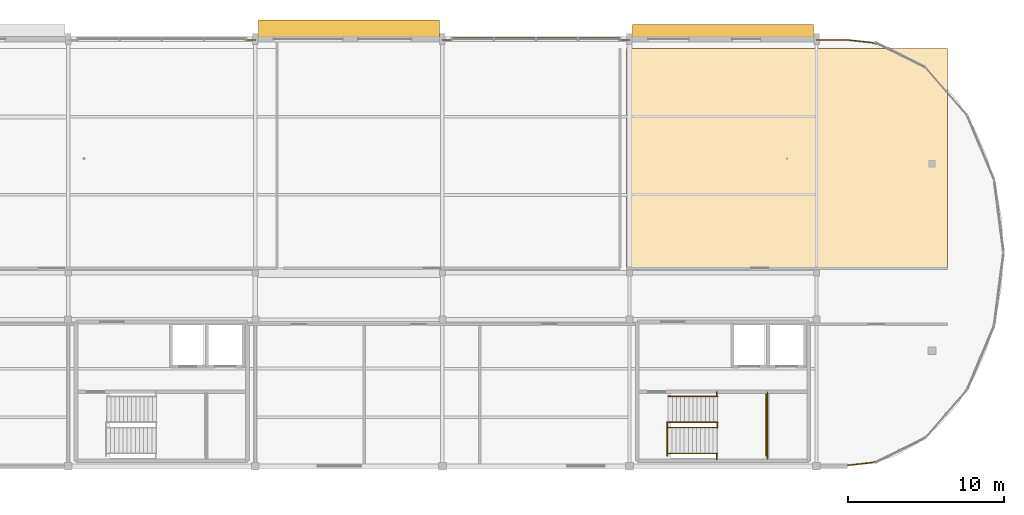
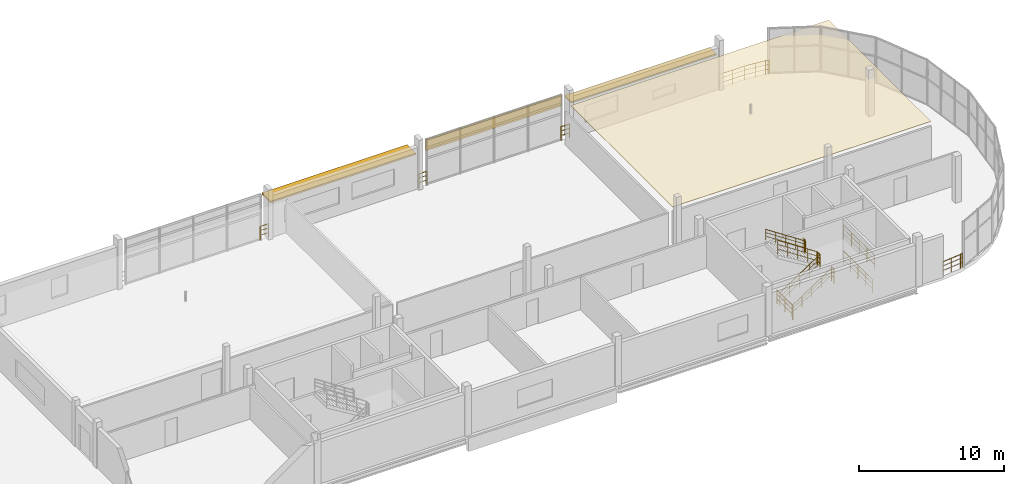
# One storey, part 13 of 13: 18 railings, 2 coverings, 2 shading devices.
"""IFC4 building model written with IfcOpenShell, lengths in metres."""

import ifcopenshell
import ifcopenshell.guid

model = None  # the IFC model being written
_history = None  # IfcOwnerHistory: only IFC2X3 demands one
_inside = {}  # id of a spatial element -> (the spatial element, [elements in it])
_under = {}  # id of a project, library or spatial element -> (it, [spatial elements below it])
_declared = {}  # id of a project -> (the project, [libraries it declares])
_typed = {}  # id of a type object -> (the type object, [elements of that type])
_made_of = {}  # id of a material, layer set ... -> (it, [elements and type objects made of it])


def new_model(schema):
    """Start an empty IFC model of exactly this schema.

    Asked for "IFC4X3", IfcOpenShell would pick the latest addendum, in which some entities
    have other attributes; the version numbers below select the first issue.
    IFC2X3 requires an IfcOwnerHistory on every rooted entity: one is made here for all.
    """
    global model, _history
    if schema == "IFC4X3":
        model = ifcopenshell.file(schema_version=(4, 3, 0, 0))
    else:
        model = ifcopenshell.file(schema=schema)
    _inside.clear()
    _under.clear()
    _declared.clear()
    _typed.clear()
    _made_of.clear()
    _history = None
    if model.schema == "IFC2X3":
        org = make("IfcOrganization", Name="unknown")
        user = make(
            "IfcPersonAndOrganization",
            ThePerson=make("IfcPerson", FamilyName="unknown"),
            TheOrganization=org,
        )
        app = make(
            "IfcApplication",
            ApplicationDeveloper=org,
            Version="unknown",
            ApplicationFullName="unknown",
            ApplicationIdentifier="unknown",
        )
        _history = make(
            "IfcOwnerHistory",
            OwningUser=user,
            OwningApplication=app,
            ChangeAction="ADDED",
            CreationDate=0,
        )
    return model


def make(cls, **values):
    """One entity of the class cls with the attributes given. An attribute that is None is left unset."""
    return model.create_entity(
        cls, **{name: value for name, value in values.items() if value is not None}
    )


def rooted(cls, **values):
    """An entity with a GlobalId (a new one), such as an element, a storey or a relation."""
    return make(cls, GlobalId=ifcopenshell.guid.new(), OwnerHistory=_history, **values)


def si_unit(unit_type, name, prefix=None):
    """IfcSIUnit, for example si_unit("LENGTHUNIT", "METRE", prefix="MILLI")."""
    return make("IfcSIUnit", UnitType=unit_type, Prefix=prefix, Name=name)


def assignment(units):
    """IfcUnitAssignment: the units of a project."""
    return None if units is None else make("IfcUnitAssignment", Units=units)


def point(xyz):
    """IfcCartesianPoint."""
    return None if xyz is None else make("IfcCartesianPoint", Coordinates=xyz)


def direction(xyz):
    """IfcDirection."""
    return None if xyz is None else make("IfcDirection", DirectionRatios=xyz)


def frame(location, z_axis=None, x_axis=None):
    """IfcAxis2Placement3D, a coordinate frame: its origin and axes. An axis left out is left unset."""
    return make(
        "IfcAxis2Placement3D",
        Location=point(location),
        Axis=direction(z_axis),
        RefDirection=direction(x_axis),
    )


def frame_2d(location, x_axis=None):
    """IfcAxis2Placement2D, a coordinate frame in the plane: its origin and x axis."""
    return make(
        "IfcAxis2Placement2D", Location=point(location), RefDirection=direction(x_axis)
    )


def origin():
    """The frame at (0, 0, 0) with its axes left unset."""
    return frame((0.0, 0.0, 0.0))


def origin_2d():
    """The frame at (0, 0) in the plane with its x axis left unset."""
    return frame_2d((0.0, 0.0))


def place(relative_to, where):
    """IfcLocalPlacement: puts the frame where relative to a parent placement (None: the world)."""
    return make(
        "IfcLocalPlacement", PlacementRelTo=relative_to, RelativePlacement=where
    )


def context(
    kind, dimensions, precision=None, world=None, true_north=None, identifier=None
):
    """IfcGeometricRepresentationContext, for example the 3D "Model" context."""
    return make(
        "IfcGeometricRepresentationContext",
        ContextIdentifier=identifier,
        ContextType=kind,
        CoordinateSpaceDimension=dimensions,
        Precision=precision,
        WorldCoordinateSystem=world,
        TrueNorth=true_north,
    )


def subcontext(parent, identifier, kind, view, scale=None):
    """IfcGeometricRepresentationSubContext, for example "Body" below "Model"."""
    return make(
        "IfcGeometricRepresentationSubContext",
        ContextIdentifier=identifier,
        ContextType=kind,
        ParentContext=parent,
        TargetScale=scale,
        TargetView=view,
    )


def project(units=None, contexts=None):
    """IfcProject with its units and contexts."""
    return rooted(
        "IfcProject",
        Name="project",
        RepresentationContexts=contexts,
        UnitsInContext=assignment(units),
    )


def spatial(cls, under=None, at=None, **own):
    """A site, building, storey or space (cls), placed at a placement, below another one or the project."""
    s = rooted(cls, ObjectPlacement=at, **own)
    if under is not None:
        _under.setdefault(under.id(), (under, []))[1].append(s)
    return s


def profile(cls, at=None, kind="AREA", **sizes):
    """A parametric profile (cls). Its sizes go by their IFC names, for example OverallWidth=200.0."""
    return make(cls, ProfileType=kind, Position=at, **sizes)


def rectangle(**sizes):
    """IfcRectangleProfileDef."""
    return profile("IfcRectangleProfileDef", **sizes)


def circle(**sizes):
    """IfcCircleProfileDef."""
    return profile("IfcCircleProfileDef", **sizes)


def extrude(swept, where, along, depth):
    """IfcExtrudedAreaSolid: the profile swept, set in the frame where, extruded along a direction by depth."""
    return make(
        "IfcExtrudedAreaSolid",
        SweptArea=swept,
        Position=where,
        ExtrudedDirection=direction(along),
        Depth=depth,
    )


def shape(context_of_items, identifier, shape_type, items):
    """IfcShapeRepresentation: the items that make up one representation, for example the "Body"."""
    return make(
        "IfcShapeRepresentation",
        ContextOfItems=context_of_items,
        RepresentationIdentifier=identifier,
        RepresentationType=shape_type,
        Items=items,
    )


def material(Name=None, Category=None):
    """IfcMaterial."""
    return make("IfcMaterial", Name=Name, Category=Category)


def layer(
    of_material, thickness, ventilated=None, Name=None, Category=None, Priority=None
):
    """IfcMaterialLayer: one layer of a wall or slab, of a material (None: an air gap)."""
    return make(
        "IfcMaterialLayer",
        Material=of_material,
        LayerThickness=thickness,
        IsVentilated=ventilated,
        Name=Name,
        Category=Category,
        Priority=Priority,
    )


def layer_set(layers, Name=None):
    """IfcMaterialLayerSet."""
    return make("IfcMaterialLayerSet", MaterialLayers=layers, LayerSetName=Name)


def made_of(thing, what):
    """Note that an element or type object is made of a material, layer set ...; save() writes the relation."""
    if what is not None:
        _made_of.setdefault(what.id(), (what, []))[1].append(thing)
    return thing


def type_object(cls, material=None, **own):
    """A type object (cls), such as IfcWallType, which elements share."""
    return made_of(rooted(cls, **own), material)


def element(
    cls,
    number,
    at=None,
    inside=None,
    cuts=None,
    type_object=None,
    material=None,
    context=None,
    identifier="Body",
    shape_type=None,
    held_by="IfcProductDefinitionShape",
    body=None,
    shapes=None,
    **own,
):
    """One element of the class cls, such as IfcWall. Its Tag is "e" and its number.

    at: its placement. inside: the storey or other place that contains it. cuts: it is an
    opening in that element (IfcRelVoidsElement). A single representation is given by context,
    identifier, shape_type and body (its items); several are given by shapes. held_by: the class
    of the entity that holds the representations. save() writes the other relations.
    """
    e = rooted(cls, Tag="e%d" % number, ObjectPlacement=at, **own)
    if body is not None:
        shapes = [shape(context, identifier, shape_type, body)]
    if shapes is not None:
        e.Representation = make(held_by, Representations=shapes)
    if inside is not None:
        _inside.setdefault(inside.id(), (inside, []))[1].append(e)
    if cuts is not None:
        rooted(
            "IfcRelVoidsElement", RelatingBuildingElement=cuts, RelatedOpeningElement=e
        )
    if type_object is not None:
        _typed.setdefault(type_object.id(), (type_object, []))[1].append(e)
    return made_of(e, material)


def aggregate(whole, parts):
    """IfcRelAggregates: a whole, such as a stair, and the parts it consists of."""
    return rooted("IfcRelAggregates", RelatingObject=whole, RelatedObjects=parts)


def save(model, path):
    """Write the relations noted so far, then the file.

    IfcRelAggregates (storeys below a building ...), IfcRelContainedInSpatialStructure (elements
    in a storey), IfcRelDefinesByType, IfcRelAssociatesMaterial and IfcRelDeclares: one each for
    every whole, place, type object, material and project.
    """
    for whole, parts in _under.values():
        aggregate(whole, parts)
    for where, things in _inside.values():
        rooted(
            "IfcRelContainedInSpatialStructure",
            RelatedElements=things,
            RelatingStructure=where,
        )
    for kind, things in _typed.values():
        rooted("IfcRelDefinesByType", RelatedObjects=things, RelatingType=kind)
    for what, things in _made_of.values():
        rooted("IfcRelAssociatesMaterial", RelatedObjects=things, RelatingMaterial=what)
    for by, libraries in _declared.values():
        rooted("IfcRelDeclares", RelatingContext=by, RelatedDefinitions=libraries)
    model.write(path)


model = new_model("IFC4")

# Units and contexts
model_context = context("Model", 3, precision=1e-05, world=origin(), true_north=direction((0.0, 1.0)))
body_context = subcontext(model_context, "Body", "Model", "MODEL_VIEW")
ifc_project = project(units=[si_unit("LENGTHUNIT", "METRE"), si_unit("AREAUNIT", "SQUARE_METRE"), si_unit("VOLUMEUNIT", "CUBIC_METRE"), si_unit("PLANEANGLEUNIT", "RADIAN"), si_unit("MASSUNIT", "GRAM", prefix="KILO"), si_unit("THERMODYNAMICTEMPERATUREUNIT", "KELVIN"), si_unit("POWERUNIT", "WATT")], contexts=[model_context])

# Site, building, storey
site_placement = place(None, origin())
site = spatial("IfcSite", under=ifc_project, at=site_placement, CompositionType="ELEMENT")
building_placement = place(site_placement, origin())
building = spatial("IfcBuilding", under=site, at=building_placement, Name="Solmara Park Aquatics Centre", CompositionType="ELEMENT")
storey_placement = place(building_placement, frame((0.0, 0.0, 14.39990234375)))
storey = spatial("IfcBuildingStorey", under=building, at=storey_placement, Name="L03", CompositionType="ELEMENT", Elevation=14.39990234375)

# Coverings
ifc_material_1 = material(Name="Perforated Anodised Bronze Solar Screen", Category="aluminium")
ifc_layer_1 = layer(ifc_material_1, 0.1201171875, Name="Perforated Anodised Bronze Solar Screen")
ifc_layer_set_1 = layer_set([ifc_layer_1], Name="Perforated Anodised Bronze Solar Screen")
covering_type_1 = type_object("IfcCoveringType", Name="ARC-COV-BRONZE", PredefinedType="CLADDING", material=ifc_layer_set_1)
covering_1_placement = place(storey_placement, frame((78.60009765625, 136.050048828125, 2.85009765625), z_axis=(0.0, 0.0, 1.0), x_axis=(1.0, 0.0, 0.0)))
element("IfcCovering", 1, at=covering_1_placement, inside=storey, type_object=covering_type_1, Name="Perforated Bronze Solar Screen 011", PredefinedType="CLADDING", context=body_context, shape_type="SweptSolid", body=[
    extrude(rectangle(XDim=10.800048828125, YDim=0.1201171875, at=origin_2d()), origin(), (0.0, 0.0, 1.0), 0.89990234375),
])
ifc_material_2 = material(Name="Moisture-Resistant Perforated Acoustic Gypsum Ceiling", Category="gypsum")
ifc_layer_2 = layer(ifc_material_2, 0.0400390625, Name="Moisture-Resistant Perforated Acoustic Gypsum Ceiling")
ifc_layer_set_2 = layer_set([ifc_layer_2], Name="Moisture-Resistant Perforated Acoustic Gypsum Ceiling")
covering_type_2 = type_object("IfcCoveringType", Name="ARC-COV-CEIL", PredefinedType="CEILING", material=ifc_layer_set_2)
covering_2_placement = place(storey_placement, frame((94.699951171875, 128.35009765625, 3.080078125), z_axis=(0.0, 0.0, 1.0), x_axis=(1.0, 0.0, 0.0)))
element("IfcCovering", 2, at=covering_2_placement, inside=storey, type_object=covering_type_2, Name="Acoustic Suspended Ceiling L03-ADM-01", PredefinedType="CEILING", context=body_context, shape_type="SweptSolid", body=[
    extrude(rectangle(XDim=20.60009765625, YDim=14.10009765625, at=origin_2d()), origin(), (0.0, 0.0, 1.0), 0.0400390625),
])

# Railings
ifc_material_3 = material(Name="Brushed Marine-Grade Stainless Steel 316L Handrail", Category="steel")
ifc_layer_3 = layer(ifc_material_3, 0.044921875, Name="Brushed Marine-Grade Stainless Steel 316L Handrail")
ifc_layer_set_3 = layer_set([ifc_layer_3], Name="Brushed Marine-Grade Stainless Steel 316L Handrail")
railing_type_1 = type_object("IfcRailingType", Name="ARC-RL-HND090", PredefinedType="HANDRAIL", material=ifc_layer_set_3)
railing_1_placement = place(storey_placement, frame((87.050048828125, 109.409912109375, 0.16162109375)))
element("IfcRailing", 3, at=railing_1_placement, inside=storey, type_object=railing_type_1, Name="ST-02 Protected Exit Stair (L03 to L04) Flight 1 Outer Handrail", PredefinedType="HANDRAIL", context=body_context, shape_type="SweptSolid", body=[
    extrude(circle(Radius=0.02392578125, at=origin_2d()), frame((0.0, 0.0, 0.89599609375), z_axis=(0.834447378162, 0.0, 0.551087627405), x_axis=(0.0, 1.0, 0.0)), (0.0, 0.0, 1.0), 3.810791015625),
    extrude(circle(Radius=0.01416015625, at=origin_2d()), frame((0.0, 0.0, 0.322021484375), z_axis=(0.834447378162, 0.0, 0.551087627405), x_axis=(0.0, 1.0, 0.0)), (0.0, 0.0, 1.0), 3.810791015625),
    extrude(circle(Radius=0.01416015625, at=origin_2d()), frame((0.0, 0.0, 0.62548828125), z_axis=(0.834447378162, 0.0, 0.551087627405), x_axis=(0.0, 1.0, 0.0)), (0.0, 0.0, 1.0), 3.810791015625),
    extrude(circle(Radius=0.02099609375, at=origin_2d()), origin(), (0.0, 0.0, 1.0), 0.871826171875),
    extrude(circle(Radius=0.02099609375, at=origin_2d()), frame((0.794921875, 0.0, 0.52490234375)), (0.0, 0.0, 1.0), 0.871826171875),
    extrude(circle(Radius=0.02099609375, at=origin_2d()), frame((1.58984375, 0.0, 1.050048828125)), (0.0, 0.0, 1.0), 0.871826171875),
    extrude(circle(Radius=0.02099609375, at=origin_2d()), frame((2.385009765625, 0.0, 1.5751953125)), (0.0, 0.0, 1.0), 0.871826171875),
    extrude(circle(Radius=0.02099609375, at=origin_2d()), frame((3.179931640625, 0.0, 2.10009765625)), (0.0, 0.0, 1.0), 0.871826171875),
])
railing_2_placement = place(storey_placement, frame((90.260009765625, 113.090087890625, 2.26171875)))
element("IfcRailing", 4, at=railing_2_placement, inside=storey, type_object=railing_type_1, Name="ST-02 Protected Exit Stair (L03 to L04) Flight 2 Outer Handrail", PredefinedType="HANDRAIL", context=body_context, shape_type="SweptSolid", body=[
    extrude(circle(Radius=0.02392578125, at=origin_2d()), frame((0.0, 0.0, 0.89599609375), z_axis=(-0.834476838559, 0.0, 0.551043016387), x_axis=(0.0, -1.0, 0.0)), (0.0, 0.0, 1.0), 3.810791015625),
    extrude(circle(Radius=0.01416015625, at=origin_2d()), frame((0.0, 0.0, 0.322021484375), z_axis=(-0.834476838559, 0.0, 0.551043016387), x_axis=(0.0, -1.0, 0.0)), (0.0, 0.0, 1.0), 3.810791015625),
    extrude(circle(Radius=0.01416015625, at=origin_2d()), frame((0.0, 0.0, 0.62548828125), z_axis=(-0.834476838559, 0.0, 0.551043016387), x_axis=(0.0, -1.0, 0.0)), (0.0, 0.0, 1.0), 3.810791015625),
    extrude(circle(Radius=0.02099609375, at=origin_2d()), origin(), (0.0, 0.0, 1.0), 0.871826171875),
    extrude(circle(Radius=0.02099609375, at=origin_2d()), frame((-0.794921875, 0.0, 0.52490234375)), (0.0, 0.0, 1.0), 0.871826171875),
    extrude(circle(Radius=0.02099609375, at=origin_2d()), frame((-1.58984375, 0.0, 1.0498046875)), (0.0, 0.0, 1.0), 0.871826171875),
    extrude(circle(Radius=0.02099609375, at=origin_2d()), frame((-2.385009765625, 0.0, 1.574951171875)), (0.0, 0.0, 1.0), 0.871826171875),
    extrude(circle(Radius=0.02099609375, at=origin_2d()), frame((-3.179931640625, 0.0, 2.099853515625)), (0.0, 0.0, 1.0), 0.871826171875),
])
ifc_material_4 = material(Name="Toughened Glass and Stainless Steel Stand Guardrail", Category="steel")
ifc_layer_4 = layer(ifc_material_4, 0.06005859375, Name="Toughened Glass and Stainless Steel Stand Guardrail")
ifc_layer_set_4 = layer_set([ifc_layer_4], Name="Toughened Glass and Stainless Steel Stand Guardrail")
railing_type_2 = type_object("IfcRailingType", Name="ARC-RL-STD110", PredefinedType="GUARDRAIL", material=ifc_layer_set_4)
railing_3_placement = place(storey_placement, frame((59.93994140625, 135.93994140625, 0.0)))
element("IfcRailing", 5, at=railing_3_placement, inside=storey, type_object=railing_type_2, Name="L03 Slab Edge Guardrail 108", PredefinedType="GUARDRAIL", context=body_context, shape_type="SweptSolid", body=[
    extrude(circle(Radius=0.02392578125, at=origin_2d()), frame((0.0, 0.0, 1.15576171875), z_axis=(1.0, 0.0, 0.0), x_axis=(0.0, 1.0, 0.0)), (0.0, 0.0, 1.0), 0.66015625),
    extrude(circle(Radius=0.01416015625, at=origin_2d()), frame((0.0, 0.0, 0.4130859375), z_axis=(1.0, 0.0, 0.0), x_axis=(0.0, 1.0, 0.0)), (0.0, 0.0, 1.0), 0.66015625),
    extrude(circle(Radius=0.01416015625, at=origin_2d()), frame((0.0, 0.0, 0.80224609375), z_axis=(1.0, 0.0, 0.0), x_axis=(0.0, 1.0, 0.0)), (0.0, 0.0, 1.0), 0.66015625),
    extrude(circle(Radius=0.02099609375, at=origin_2d()), origin(), (0.0, 0.0, 1.0), 1.1318359375),
    extrude(circle(Radius=0.02099609375, at=origin_2d()), frame((0.66015625, 0.0, 0.0)), (0.0, 0.0, 1.0), 1.1318359375),
])
railing_4_placement = place(storey_placement, frame((72.60009765625, 135.93994140625, 0.0)))
element("IfcRailing", 6, at=railing_4_placement, inside=storey, type_object=railing_type_2, Name="L03 Slab Edge Guardrail 109", PredefinedType="GUARDRAIL", context=body_context, shape_type="SweptSolid", body=[
    extrude(circle(Radius=0.02392578125, at=origin_2d()), frame((0.0, 0.0, 1.15576171875), z_axis=(1.0, 0.0, 0.0), x_axis=(0.0, 1.0, 0.0)), (0.0, 0.0, 1.0), 0.619873046875),
    extrude(circle(Radius=0.01416015625, at=origin_2d()), frame((0.0, 0.0, 0.4130859375), z_axis=(1.0, 0.0, 0.0), x_axis=(0.0, 1.0, 0.0)), (0.0, 0.0, 1.0), 0.619873046875),
    extrude(circle(Radius=0.01416015625, at=origin_2d()), frame((0.0, 0.0, 0.80224609375), z_axis=(1.0, 0.0, 0.0), x_axis=(0.0, 1.0, 0.0)), (0.0, 0.0, 1.0), 0.619873046875),
    extrude(circle(Radius=0.02099609375, at=origin_2d()), origin(), (0.0, 0.0, 1.0), 1.1318359375),
    extrude(circle(Radius=0.02099609375, at=origin_2d()), frame((0.619873046875, 0.0, 0.0)), (0.0, 0.0, 1.0), 1.1318359375),
])
railing_5_placement = place(storey_placement, frame((83.93994140625, 135.93994140625, 0.0)))
element("IfcRailing", 7, at=railing_5_placement, inside=storey, type_object=railing_type_2, Name="L03 Slab Edge Guardrail 110", PredefinedType="GUARDRAIL", context=body_context, shape_type="SweptSolid", body=[
    extrude(circle(Radius=0.02392578125, at=origin_2d()), frame((0.0, 0.0, 1.15576171875), z_axis=(1.0, 0.0, 0.0), x_axis=(0.0, 1.0, 0.0)), (0.0, 0.0, 1.0), 0.66015625),
    extrude(circle(Radius=0.01416015625, at=origin_2d()), frame((0.0, 0.0, 0.4130859375), z_axis=(1.0, 0.0, 0.0), x_axis=(0.0, 1.0, 0.0)), (0.0, 0.0, 1.0), 0.66015625),
    extrude(circle(Radius=0.01416015625, at=origin_2d()), frame((0.0, 0.0, 0.80224609375), z_axis=(1.0, 0.0, 0.0), x_axis=(0.0, 1.0, 0.0)), (0.0, 0.0, 1.0), 0.66015625),
    extrude(circle(Radius=0.02099609375, at=origin_2d()), origin(), (0.0, 0.0, 1.0), 1.1318359375),
    extrude(circle(Radius=0.02099609375, at=origin_2d()), frame((0.66015625, 0.0, 0.0)), (0.0, 0.0, 1.0), 1.1318359375),
])
railing_6_placement = place(storey_placement, frame((96.60009765625, 135.93994140625, 0.0)))
element("IfcRailing", 8, at=railing_6_placement, inside=storey, type_object=railing_type_2, Name="L03 Slab Edge Guardrail 111", PredefinedType="GUARDRAIL", context=body_context, shape_type="SweptSolid", body=[
    extrude(circle(Radius=0.02392578125, at=origin_2d()), frame((0.0, 0.0, 1.15576171875), z_axis=(1.0, 0.0, 0.0), x_axis=(0.0, 1.0, 0.0)), (0.0, 0.0, 1.0), 1.99658203125),
    extrude(circle(Radius=0.01416015625, at=origin_2d()), frame((0.0, 0.0, 0.4130859375), z_axis=(1.0, 0.0, 0.0), x_axis=(0.0, 1.0, 0.0)), (0.0, 0.0, 1.0), 1.99658203125),
    extrude(circle(Radius=0.01416015625, at=origin_2d()), frame((0.0, 0.0, 0.80224609375), z_axis=(1.0, 0.0, 0.0), x_axis=(0.0, 1.0, 0.0)), (0.0, 0.0, 1.0), 1.99658203125),
    extrude(circle(Radius=0.02099609375, at=origin_2d()), origin(), (0.0, 0.0, 1.0), 1.1318359375),
    extrude(circle(Radius=0.02099609375, at=origin_2d()), frame((0.998291015625, 0.0, 0.0)), (0.0, 0.0, 1.0), 1.1318359375),
    extrude(circle(Radius=0.02099609375, at=origin_2d()), frame((1.99658203125, 0.0, 0.0)), (0.0, 0.0, 1.0), 1.1318359375),
])
railing_7_placement = place(storey_placement, frame((98.5966796875, 135.93994140625, 0.0)))
element("IfcRailing", 9, at=railing_7_placement, inside=storey, type_object=railing_type_2, Name="L03 Slab Edge Guardrail 112", PredefinedType="GUARDRAIL", context=body_context, shape_type="SweptSolid", body=[
    extrude(circle(Radius=0.02392578125, at=origin_2d()), frame((0.0, 0.0, 1.15576171875), z_axis=(0.9942327173, -0.107244132012, 0.0), x_axis=(0.107244132012, 0.9942327173, 0.0)), (0.0, 0.0, 1.0), 1.56396484375),
    extrude(circle(Radius=0.01416015625, at=origin_2d()), frame((0.0, 0.0, 0.4130859375), z_axis=(0.9942327173, -0.107244132012, 0.0), x_axis=(0.107244132012, 0.9942327173, 0.0)), (0.0, 0.0, 1.0), 1.56396484375),
    extrude(circle(Radius=0.01416015625, at=origin_2d()), frame((0.0, 0.0, 0.80224609375), z_axis=(0.9942327173, -0.107244132012, 0.0), x_axis=(0.107244132012, 0.9942327173, 0.0)), (0.0, 0.0, 1.0), 1.56396484375),
    extrude(circle(Radius=0.02099609375, at=origin_2d()), origin(), (0.0, 0.0, 1.0), 1.1318359375),
    extrude(circle(Radius=0.02099609375, at=origin_2d()), frame((0.77734375, -0.083984375, 0.0)), (0.0, 0.0, 1.0), 1.1318359375),
    extrude(circle(Radius=0.02099609375, at=origin_2d()), frame((1.554931640625, -0.167724609375, 0.0)), (0.0, 0.0, 1.0), 1.1318359375),
])
railing_8_placement = place(storey_placement, frame((100.151611328125, 135.772216796875, 0.0)))
element("IfcRailing", 10, at=railing_8_placement, inside=storey, type_object=railing_type_2, Name="L03 Slab Edge Guardrail 113", PredefinedType="GUARDRAIL", context=body_context, shape_type="SweptSolid", body=[
    extrude(circle(Radius=0.02392578125, at=origin_2d()), frame((0.0, 0.0, 1.15576171875), z_axis=(0.950270628354, -0.311425324738, 0.0), x_axis=(0.311425324738, 0.950270628354, 0.0)), (0.0, 0.0, 1.0), 0.259521484375),
    extrude(circle(Radius=0.01416015625, at=origin_2d()), frame((0.0, 0.0, 0.4130859375), z_axis=(0.950270628354, -0.311425324738, 0.0), x_axis=(0.311425324738, 0.950270628354, 0.0)), (0.0, 0.0, 1.0), 0.259521484375),
    extrude(circle(Radius=0.01416015625, at=origin_2d()), frame((0.0, 0.0, 0.80224609375), z_axis=(0.950270628354, -0.311425324738, 0.0), x_axis=(0.311425324738, 0.950270628354, 0.0)), (0.0, 0.0, 1.0), 0.259521484375),
    extrude(circle(Radius=0.02099609375, at=origin_2d()), origin(), (0.0, 0.0, 1.0), 1.1318359375),
    extrude(circle(Radius=0.02099609375, at=origin_2d()), frame((0.24658203125, -0.080810546875, 0.0)), (0.0, 0.0, 1.0), 1.1318359375),
])
railing_9_placement = place(storey_placement, frame((100.359619140625, 108.89599609375, 0.0)))
element("IfcRailing", 11, at=railing_9_placement, inside=storey, type_object=railing_type_2, Name="L03 Slab Edge Guardrail 114", PredefinedType="GUARDRAIL", context=body_context, shape_type="SweptSolid", body=[
    extrude(circle(Radius=0.02392578125, at=origin_2d()), frame((0.0, 0.0, 1.15576171875), z_axis=(-0.950012851822, -0.312210796374, 0.0), x_axis=(0.312210796374, -0.950012851822, 0.0)), (0.0, 0.0, 1.0), 0.218994140625),
    extrude(circle(Radius=0.01416015625, at=origin_2d()), frame((0.0, 0.0, 0.4130859375), z_axis=(-0.950012851822, -0.312210796374, 0.0), x_axis=(0.312210796374, -0.950012851822, 0.0)), (0.0, 0.0, 1.0), 0.218994140625),
    extrude(circle(Radius=0.01416015625, at=origin_2d()), frame((0.0, 0.0, 0.80224609375), z_axis=(-0.950012851822, -0.312210796374, 0.0), x_axis=(0.312210796374, -0.950012851822, 0.0)), (0.0, 0.0, 1.0), 0.218994140625),
    extrude(circle(Radius=0.02099609375, at=origin_2d()), origin(), (0.0, 0.0, 1.0), 1.1318359375),
    extrude(circle(Radius=0.02099609375, at=origin_2d()), frame((-0.2080078125, -0.068359375, 0.0)), (0.0, 0.0, 1.0), 1.1318359375),
])
railing_10_placement = place(storey_placement, frame((100.151611328125, 108.82763671875, 0.0)))
element("IfcRailing", 12, at=railing_10_placement, inside=storey, type_object=railing_type_2, Name="L03 Slab Edge Guardrail 115", PredefinedType="GUARDRAIL", context=body_context, shape_type="SweptSolid", body=[
    extrude(circle(Radius=0.02392578125, at=origin_2d()), frame((0.0, 0.0, 1.15576171875), z_axis=(-0.994240886275, -0.107168372478, 0.0), x_axis=(0.107168372478, -0.994240886275, 0.0)), (0.0, 0.0, 1.0), 1.560546875),
    extrude(circle(Radius=0.01416015625, at=origin_2d()), frame((0.0, 0.0, 0.4130859375), z_axis=(-0.994240886275, -0.107168372478, 0.0), x_axis=(0.107168372478, -0.994240886275, 0.0)), (0.0, 0.0, 1.0), 1.560546875),
    extrude(circle(Radius=0.01416015625, at=origin_2d()), frame((0.0, 0.0, 0.80224609375), z_axis=(-0.994240886275, -0.107168372478, 0.0), x_axis=(0.107168372478, -0.994240886275, 0.0)), (0.0, 0.0, 1.0), 1.560546875),
    extrude(circle(Radius=0.02099609375, at=origin_2d()), origin(), (0.0, 0.0, 1.0), 1.1318359375),
    extrude(circle(Radius=0.02099609375, at=origin_2d()), frame((-0.77587890625, -0.08349609375, 0.0)), (0.0, 0.0, 1.0), 1.1318359375),
    extrude(circle(Radius=0.02099609375, at=origin_2d()), frame((-1.551513671875, -0.167236328125, 0.0)), (0.0, 0.0, 1.0), 1.1318359375),
])
ifc_material_5 = material(Name="Brushed Stainless Steel Guardrail", Category="steel")
ifc_layer_5 = layer(ifc_material_5, 0.050048828125, Name="Brushed Stainless Steel Guardrail")
ifc_layer_set_5 = layer_set([ifc_layer_5], Name="Brushed Stainless Steel Guardrail")
railing_type_3 = type_object("IfcRailingType", Name="ARC-RL-STR110", PredefinedType="GUARDRAIL", material=ifc_layer_set_5)
railing_11_placement = place(storey_placement, frame((87.030029296875, 109.27001953125, 0.0)))
element("IfcRailing", 13, at=railing_11_placement, inside=storey, type_object=railing_type_3, Name="ST-02 Protected Exit Stair (L02 to L03) Arrival Well Guardrail", PredefinedType="GUARDRAIL", context=body_context, shape_type="SweptSolid", body=[
    extrude(circle(Radius=0.02392578125, at=origin_2d()), frame((0.0, 0.0, 1.15576171875), z_axis=(0.0, 1.0, 0.0), x_axis=(-1.0, 0.0, 0.0)), (0.0, 0.0, 1.0), 2.169921875),
    extrude(circle(Radius=0.01416015625, at=origin_2d()), frame((0.0, 0.0, 0.4130859375), z_axis=(0.0, 1.0, 0.0), x_axis=(-1.0, 0.0, 0.0)), (0.0, 0.0, 1.0), 2.169921875),
    extrude(circle(Radius=0.01416015625, at=origin_2d()), frame((0.0, 0.0, 0.80224609375), z_axis=(0.0, 1.0, 0.0), x_axis=(-1.0, 0.0, 0.0)), (0.0, 0.0, 1.0), 2.169921875),
    extrude(circle(Radius=0.02099609375, at=origin_2d()), origin(), (0.0, 0.0, 1.0), 1.1318359375),
    extrude(circle(Radius=0.02099609375, at=origin_2d()), frame((0.0, 1.0849609375, 0.0)), (0.0, 0.0, 1.0), 1.1318359375),
    extrude(circle(Radius=0.02099609375, at=origin_2d()), frame((0.0, 2.169921875, 0.0)), (0.0, 0.0, 1.0), 1.1318359375),
])
railing_12_placement = place(storey_placement, frame((93.3798828125, 109.27001953125, 0.0)))
element("IfcRailing", 14, at=railing_12_placement, inside=storey, type_object=railing_type_3, Name="ST-02 Protected Exit Stair (L02 to L03) Far Well Edge Guardrail", PredefinedType="GUARDRAIL", context=body_context, shape_type="SweptSolid", body=[
    extrude(circle(Radius=0.02392578125, at=origin_2d()), frame((0.0, 0.0, 1.15576171875), z_axis=(0.0, 1.0, 0.0), x_axis=(-1.0, 0.0, 0.0)), (0.0, 0.0, 1.0), 3.9599609375),
    extrude(circle(Radius=0.01416015625, at=origin_2d()), frame((0.0, 0.0, 0.4130859375), z_axis=(0.0, 1.0, 0.0), x_axis=(-1.0, 0.0, 0.0)), (0.0, 0.0, 1.0), 3.9599609375),
    extrude(circle(Radius=0.01416015625, at=origin_2d()), frame((0.0, 0.0, 0.80224609375), z_axis=(0.0, 1.0, 0.0), x_axis=(-1.0, 0.0, 0.0)), (0.0, 0.0, 1.0), 3.9599609375),
    extrude(circle(Radius=0.02099609375, at=origin_2d()), origin(), (0.0, 0.0, 1.0), 1.1318359375),
    extrude(circle(Radius=0.02099609375, at=origin_2d()), frame((0.0, 0.989990234375, 0.0)), (0.0, 0.0, 1.0), 1.1318359375),
    extrude(circle(Radius=0.02099609375, at=origin_2d()), frame((0.0, 1.97998046875, 0.0)), (0.0, 0.0, 1.0), 1.1318359375),
    extrude(circle(Radius=0.02099609375, at=origin_2d()), frame((0.0, 2.969970703125, 0.0)), (0.0, 0.0, 1.0), 1.1318359375),
    extrude(circle(Radius=0.02099609375, at=origin_2d()), frame((0.0, 3.9599609375, 0.0)), (0.0, 0.0, 1.0), 1.1318359375),
])
railing_13_placement = place(storey_placement, frame((87.050048828125, 111.080078125, 0.0)))
element("IfcRailing", 15, at=railing_13_placement, inside=storey, type_object=railing_type_3, Name="ST-02 Protected Exit Stair (L03 to L04) Flight 1 Inner Guardrail", PredefinedType="GUARDRAIL", context=body_context, shape_type="SweptSolid", body=[
    extrude(circle(Radius=0.02392578125, at=origin_2d()), frame((0.0, 0.0, 1.15576171875), z_axis=(0.834447378162, 0.0, 0.551087627405), x_axis=(0.0, 1.0, 0.0)), (0.0, 0.0, 1.0), 3.810791015625),
    extrude(circle(Radius=0.01416015625, at=origin_2d()), frame((0.0, 0.0, 0.4130859375), z_axis=(0.834447378162, 0.0, 0.551087627405), x_axis=(0.0, 1.0, 0.0)), (0.0, 0.0, 1.0), 3.810791015625),
    extrude(circle(Radius=0.01416015625, at=origin_2d()), frame((0.0, 0.0, 0.80224609375), z_axis=(0.834447378162, 0.0, 0.551087627405), x_axis=(0.0, 1.0, 0.0)), (0.0, 0.0, 1.0), 3.810791015625),
    extrude(circle(Radius=0.02099609375, at=origin_2d()), origin(), (0.0, 0.0, 1.0), 1.1318359375),
    extrude(circle(Radius=0.02099609375, at=origin_2d()), frame((0.794921875, 0.0, 0.52490234375)), (0.0, 0.0, 1.0), 1.1318359375),
    extrude(circle(Radius=0.02099609375, at=origin_2d()), frame((1.58984375, 0.0, 1.050048828125)), (0.0, 0.0, 1.0), 1.1318359375),
    extrude(circle(Radius=0.02099609375, at=origin_2d()), frame((2.385009765625, 0.0, 1.5751953125)), (0.0, 0.0, 1.0), 1.1318359375),
    extrude(circle(Radius=0.02099609375, at=origin_2d()), frame((3.179931640625, 0.0, 2.10009765625)), (0.0, 0.0, 1.0), 1.1318359375),
])
railing_14_placement = place(storey_placement, frame((90.260009765625, 111.419921875, 2.10009765625)))
element("IfcRailing", 16, at=railing_14_placement, inside=storey, type_object=railing_type_3, Name="ST-02 Protected Exit Stair (L03 to L04) Flight 2 Inner Guardrail", PredefinedType="GUARDRAIL", context=body_context, shape_type="SweptSolid", body=[
    extrude(circle(Radius=0.02392578125, at=origin_2d()), frame((0.0, 0.0, 1.15576171875), z_axis=(-0.834447378162, 0.0, 0.551087627405), x_axis=(0.0, -1.0, 0.0)), (0.0, 0.0, 1.0), 3.810791015625),
    extrude(circle(Radius=0.01416015625, at=origin_2d()), frame((0.0, 0.0, 0.4130859375), z_axis=(-0.834447378162, 0.0, 0.551087627405), x_axis=(0.0, -1.0, 0.0)), (0.0, 0.0, 1.0), 3.810791015625),
    extrude(circle(Radius=0.01416015625, at=origin_2d()), frame((0.0, 0.0, 0.80224609375), z_axis=(-0.834447378162, 0.0, 0.551087627405), x_axis=(0.0, -1.0, 0.0)), (0.0, 0.0, 1.0), 3.810791015625),
    extrude(circle(Radius=0.02099609375, at=origin_2d()), origin(), (0.0, 0.0, 1.0), 1.1318359375),
    extrude(circle(Radius=0.02099609375, at=origin_2d()), frame((-0.794921875, 0.0, 0.52490234375)), (0.0, 0.0, 1.0), 1.1318359375),
    extrude(circle(Radius=0.02099609375, at=origin_2d()), frame((-1.58984375, 0.0, 1.050048828125)), (0.0, 0.0, 1.0), 1.1318359375),
    extrude(circle(Radius=0.02099609375, at=origin_2d()), frame((-2.385009765625, 0.0, 1.5751953125)), (0.0, 0.0, 1.0), 1.1318359375),
    extrude(circle(Radius=0.02099609375, at=origin_2d()), frame((-3.179931640625, 0.0, 2.10009765625)), (0.0, 0.0, 1.0), 1.1318359375),
])
railing_15_placement = place(storey_placement, frame((90.22998046875, 111.06005859375, 2.10009765625)))
element("IfcRailing", 17, at=railing_15_placement, inside=storey, type_object=railing_type_3, Name="ST-02 Protected Exit Stair (L03 to L04) Half-Landing Well Guardrail", PredefinedType="GUARDRAIL", context=body_context, shape_type="SweptSolid", body=[
    extrude(circle(Radius=0.02392578125, at=origin_2d()), frame((0.0, 0.0, 1.15576171875), z_axis=(0.0, 1.0, 0.0), x_axis=(-1.0, 0.0, 0.0)), (0.0, 0.0, 1.0), 0.3798828125),
    extrude(circle(Radius=0.01416015625, at=origin_2d()), frame((0.0, 0.0, 0.4130859375), z_axis=(0.0, 1.0, 0.0), x_axis=(-1.0, 0.0, 0.0)), (0.0, 0.0, 1.0), 0.3798828125),
    extrude(circle(Radius=0.01416015625, at=origin_2d()), frame((0.0, 0.0, 0.80224609375), z_axis=(0.0, 1.0, 0.0), x_axis=(-1.0, 0.0, 0.0)), (0.0, 0.0, 1.0), 0.3798828125),
    extrude(circle(Radius=0.02099609375, at=origin_2d()), origin(), (0.0, 0.0, 1.0), 1.1318359375),
    extrude(circle(Radius=0.02099609375, at=origin_2d()), frame((0.0, 0.3798828125, 0.0)), (0.0, 0.0, 1.0), 1.1318359375),
])
railing_16_placement = place(storey_placement, frame((90.199951171875, 109.0400390625, 2.10009765625)))
element("IfcRailing", 18, at=railing_16_placement, inside=storey, type_object=railing_type_3, Name="ST-02 Protected Exit Stair (L03 to L04) Half-Landing South Slot Guardrail", PredefinedType="GUARDRAIL", context=body_context, shape_type="SweptSolid", body=[
    extrude(circle(Radius=0.02392578125, at=origin_2d()), frame((0.0, 0.0, 1.15576171875), z_axis=(0.0, 1.0, 0.0), x_axis=(-1.0, 0.0, 0.0)), (0.0, 0.0, 1.0), 0.35986328125),
    extrude(circle(Radius=0.01416015625, at=origin_2d()), frame((0.0, 0.0, 0.4130859375), z_axis=(0.0, 1.0, 0.0), x_axis=(-1.0, 0.0, 0.0)), (0.0, 0.0, 1.0), 0.35986328125),
    extrude(circle(Radius=0.01416015625, at=origin_2d()), frame((0.0, 0.0, 0.80224609375), z_axis=(0.0, 1.0, 0.0), x_axis=(-1.0, 0.0, 0.0)), (0.0, 0.0, 1.0), 0.35986328125),
    extrude(circle(Radius=0.02099609375, at=origin_2d()), origin(), (0.0, 0.0, 1.0), 1.1318359375),
    extrude(circle(Radius=0.02099609375, at=origin_2d()), frame((0.0, 0.35986328125, 0.0)), (0.0, 0.0, 1.0), 1.1318359375),
])
railing_17_placement = place(storey_placement, frame((90.199951171875, 113.10009765625, 2.10009765625)))
element("IfcRailing", 19, at=railing_17_placement, inside=storey, type_object=railing_type_3, Name="ST-02 Protected Exit Stair (L03 to L04) Half-Landing North Slot Guardrail", PredefinedType="GUARDRAIL", context=body_context, shape_type="SweptSolid", body=[
    extrude(circle(Radius=0.02392578125, at=origin_2d()), frame((0.0, 0.0, 1.15576171875), z_axis=(0.0, 1.0, 0.0), x_axis=(-1.0, 0.0, 0.0)), (0.0, 0.0, 1.0), 0.260009765625),
    extrude(circle(Radius=0.01416015625, at=origin_2d()), frame((0.0, 0.0, 0.4130859375), z_axis=(0.0, 1.0, 0.0), x_axis=(-1.0, 0.0, 0.0)), (0.0, 0.0, 1.0), 0.260009765625),
    extrude(circle(Radius=0.01416015625, at=origin_2d()), frame((0.0, 0.0, 0.80224609375), z_axis=(0.0, 1.0, 0.0), x_axis=(-1.0, 0.0, 0.0)), (0.0, 0.0, 1.0), 0.260009765625),
    extrude(circle(Radius=0.02099609375, at=origin_2d()), origin(), (0.0, 0.0, 1.0), 1.1318359375),
    extrude(circle(Radius=0.02099609375, at=origin_2d()), frame((0.0, 0.260009765625, 0.0)), (0.0, 0.0, 1.0), 1.1318359375),
])
railing_18_placement = place(storey_placement, frame((93.449951171875, 109.06005859375, 2.10009765625)))
element("IfcRailing", 20, at=railing_18_placement, inside=storey, type_object=railing_type_3, Name="ST-02 Protected Exit Stair (L03 to L04) Half-Landing Outer Guardrail", PredefinedType="GUARDRAIL", context=body_context, shape_type="SweptSolid", body=[
    extrude(circle(Radius=0.02392578125, at=origin_2d()), frame((0.0, 0.0, 1.15576171875), z_axis=(0.0, 1.0, 0.0), x_axis=(-1.0, 0.0, 0.0)), (0.0, 0.0, 1.0), 4.280029296875),
    extrude(circle(Radius=0.01416015625, at=origin_2d()), frame((0.0, 0.0, 0.4130859375), z_axis=(0.0, 1.0, 0.0), x_axis=(-1.0, 0.0, 0.0)), (0.0, 0.0, 1.0), 4.280029296875),
    extrude(circle(Radius=0.01416015625, at=origin_2d()), frame((0.0, 0.0, 0.80224609375), z_axis=(0.0, 1.0, 0.0), x_axis=(-1.0, 0.0, 0.0)), (0.0, 0.0, 1.0), 4.280029296875),
    extrude(circle(Radius=0.02099609375, at=origin_2d()), origin(), (0.0, 0.0, 1.0), 1.1318359375),
    extrude(circle(Radius=0.02099609375, at=origin_2d()), frame((0.0, 1.070068359375, 0.0)), (0.0, 0.0, 1.0), 1.1318359375),
    extrude(circle(Radius=0.02099609375, at=origin_2d()), frame((0.0, 2.14013671875, 0.0)), (0.0, 0.0, 1.0), 1.1318359375),
    extrude(circle(Radius=0.02099609375, at=origin_2d()), frame((0.0, 3.2099609375, 0.0)), (0.0, 0.0, 1.0), 1.1318359375),
    extrude(circle(Radius=0.02099609375, at=origin_2d()), frame((0.0, 4.280029296875, 0.0)), (0.0, 0.0, 1.0), 1.1318359375),
])

# Shading devices
ifc_material_6 = material(Name="Anodised Bronze Aluminium", Category="aluminium")
shading_device_type_1 = type_object("IfcShadingDeviceType", Name="ARC-SHD-EYE1200", PredefinedType="USERDEFINED", material=ifc_material_6)
shading_device_1_placement = place(storey_placement, frame((66.60009765625, 136.6201171875, 2.7802734375), z_axis=(0.0, 0.0, 1.0), x_axis=(1.0, 0.0, 0.0)))
element("IfcShadingDevice", 21, at=shading_device_1_placement, inside=storey, type_object=shading_device_type_1, Name="Streamline Sun-Shading Eyebrow 014", ObjectType="SUNSHADE", PredefinedType="USERDEFINED", context=body_context, shape_type="SweptSolid", body=[
    extrude(rectangle(XDim=11.60009765625, YDim=1.199951171875, at=origin_2d()), origin(), (0.0, 0.0, 1.0), 0.139892578125),
])
shading_device_type_2 = type_object("IfcShadingDeviceType", Name="ARC-SHD-EYE900", PredefinedType="USERDEFINED", material=ifc_material_6)
shading_device_2_placement = place(storey_placement, frame((90.60009765625, 136.469970703125, 2.7900390625), z_axis=(0.0, 0.0, 1.0), x_axis=(1.0, 0.0, 0.0)))
element("IfcShadingDevice", 22, at=shading_device_2_placement, inside=storey, type_object=shading_device_type_2, Name="Streamline Sun-Shading Eyebrow 015", ObjectType="SUNSHADE", PredefinedType="USERDEFINED", context=body_context, shape_type="SweptSolid", body=[
    extrude(rectangle(XDim=11.60009765625, YDim=0.89990234375, at=origin_2d()), origin(), (0.0, 0.0, 1.0), 0.1201171875),
])

save(model, "model.ifc")
